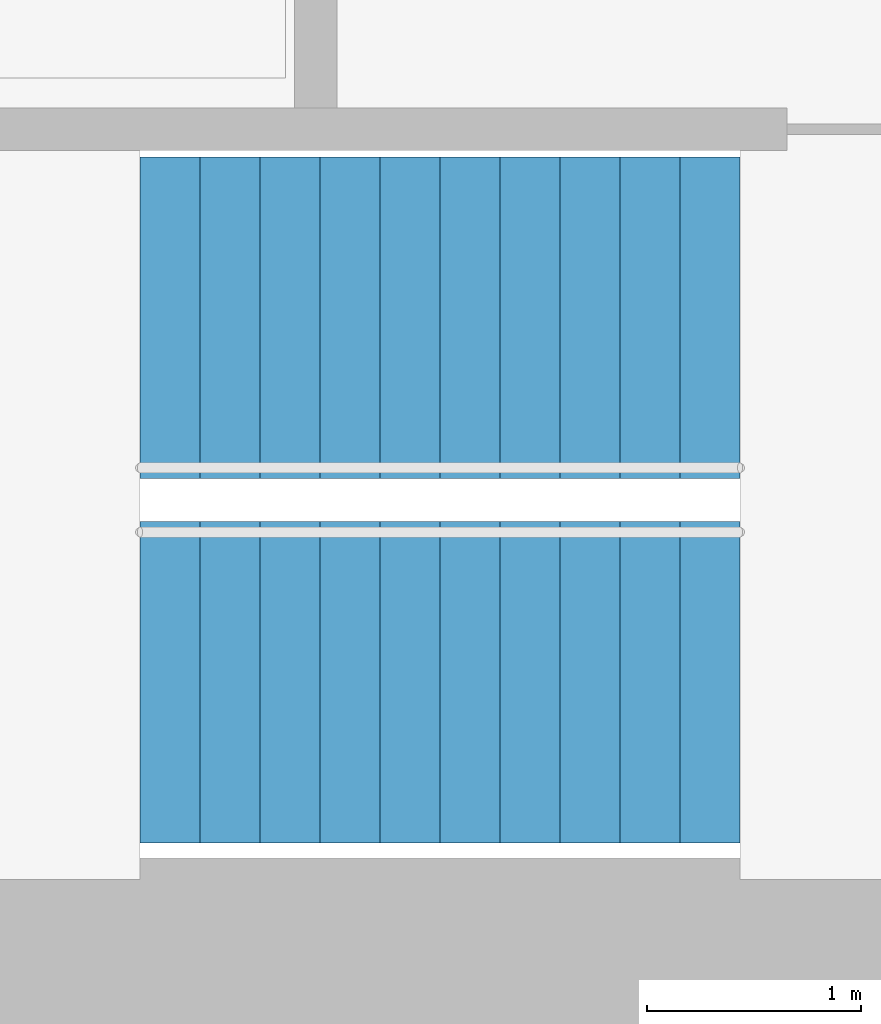
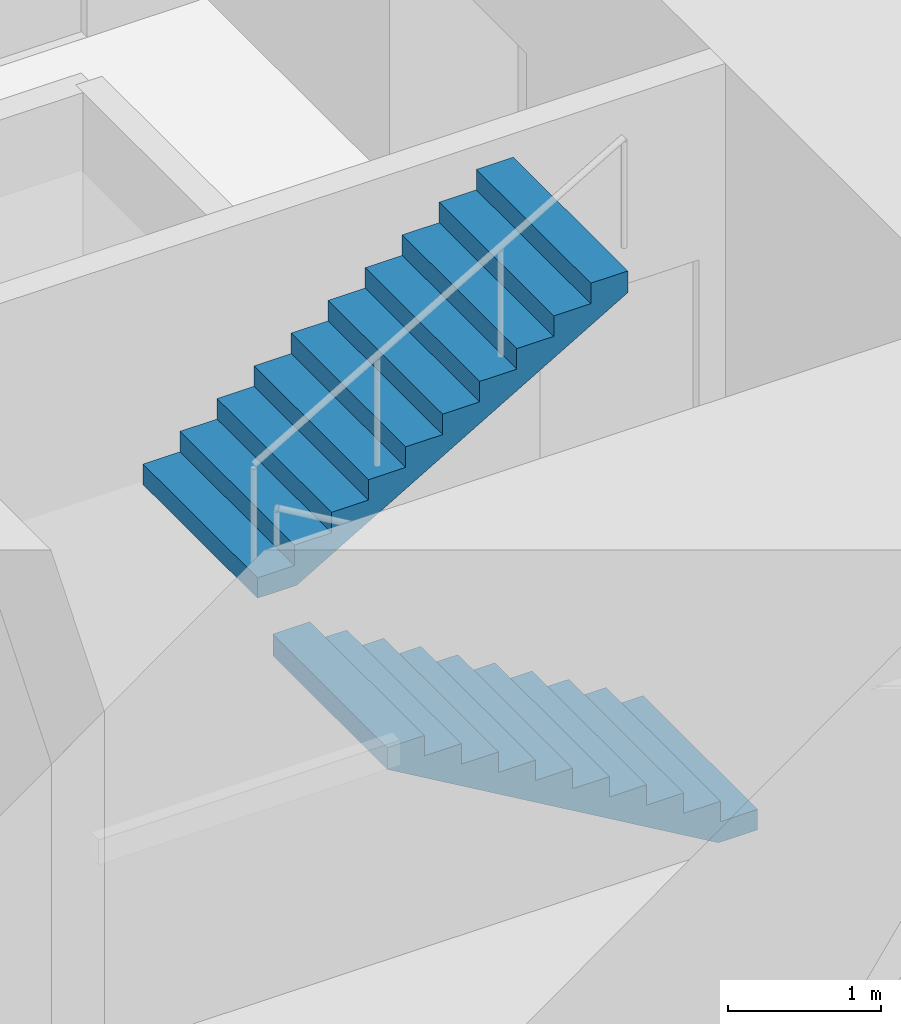
# One storey, part 14 of 15: 2 stair flights, 1 element without a shape of its own.
"""IFC4 building model written with IfcOpenShell, lengths in metres."""

from ifc_helpers import new_model, si_unit, direction, frame, origin, place, context, subcontext, project, spatial, triangles, material, type_object, element, aggregate, save


model = new_model("IFC4")

# Units and contexts
model_context = context("Model", 3, precision=1e-05, world=origin(), true_north=direction((0.0, 1.0)))
body_context = subcontext(model_context, "Body", "Model", "MODEL_VIEW")
ifc_project = project(units=[si_unit("LENGTHUNIT", "METRE"), si_unit("AREAUNIT", "SQUARE_METRE"), si_unit("VOLUMEUNIT", "CUBIC_METRE"), si_unit("PLANEANGLEUNIT", "RADIAN"), si_unit("MASSUNIT", "GRAM", prefix="KILO")], contexts=[model_context])

# Site, building, storey
site_placement = place(None, origin())
site = spatial("IfcSite", under=ifc_project, at=site_placement, CompositionType="ELEMENT")
building_placement = place(site_placement, origin())
building = spatial("IfcBuilding", under=site, at=building_placement, Name="Lantaw Convention Tower", CompositionType="ELEMENT")
storey_placement = place(building_placement, frame((0.0, 0.0, 47.800048828125)))
storey = spatial("IfcBuildingStorey", under=building, at=storey_placement, Name="L09", CompositionType="ELEMENT", Elevation=47.800048828125)

# Stair, stair flights
ifc_material = material(Name="Concrete C35/45", Category="concrete")
stair_type = type_object("IfcStairType", Name="Exit stair 1500 riser 163.64 in 2 flights", PredefinedType="HALF_TURN_STAIR", material=ifc_material)
stair_placement = place(storey_placement, origin())
stair = element("IfcStair", 1, at=stair_placement, inside=storey, type_object=stair_type, Name="Exit stair S2 L09", PredefinedType="HALF_TURN_STAIR")
stair_flight_type = type_object("IfcStairFlightType", Name="Stair flight 1500 riser 163.64", PredefinedType="STRAIGHT", material=ifc_material)
stair_flight_1_placement = place(storey_placement, frame((10.580078125, -5.97998046875, 0.0), z_axis=(0.0, 0.0, 1.0), x_axis=(-1.0, 0.0, 0.0)))
stair_flight_1 = element("IfcStairFlight", 2, at=stair_flight_1_placement, type_object=stair_flight_type, Name="S2 flight 1", NumberOfRisers=11, NumberOfTreads=10, PredefinedType="STRAIGHT", RiserHeight=0.163636364, TreadLength=0.28, context=body_context, shape_type="Tessellation", body=[
    triangles([(0.0, 0.75, 0.0), (0.0, 0.75, 0.163636364), (0.28, 0.75, 0.0), (0.28, 0.75, 0.163636364), (0.28, 0.75, 0.327272728), (0.2970904571225277, 0.75, 0.0), (0.2970904571225277, 0.75, 0.327272728), (0.56, 0.75, 0.1536484344906131), (0.56, 0.75, 0.327272728), (0.56, 0.75, 0.490909092), (0.8400000000000001, 0.75, 0.3172847984906131), (0.8400000000000001, 0.75, 0.490909092), (0.8400000000000001, 0.75, 0.654545456), (1.12, 0.75, 0.4809211624906131), (1.12, 0.75, 0.654545456), (1.12, 0.75, 0.8181818200000001), (1.4000000000000001, 0.75, 0.6445575264906132), (1.4000000000000001, 0.75, 0.8181818200000001), (1.4000000000000001, 0.75, 0.981818184), (1.6800000000000002, 0.75, 0.8081938904906131), (1.6800000000000002, 0.75, 0.981818184), (1.6800000000000002, 0.75, 1.145454548), (1.9600000000000002, 0.75, 0.9718302544906131), (1.9600000000000002, 0.75, 1.145454548), (1.9600000000000002, 0.75, 1.309090912), (2.24, 0.75, 1.135466618490613), (2.24, 0.75, 1.309090912), (2.24, 0.75, 1.472727276), (2.5200000000000005, 0.75, 1.2991029824906133), (2.5200000000000005, 0.75, 1.472727276), (2.5200000000000005, 0.75, 1.6363636400000001), (2.8000000000000003, 0.75, 1.462739346490613), (2.8000000000000003, 0.75, 1.6363636400000001), (0.0, -0.75, 0.0), (0.0, -0.75, 0.163636364), (0.28, -0.75, 0.0), (0.28, -0.75, 0.163636364), (0.28, -0.75, 0.327272728), (0.2970904571225277, -0.75, 0.0), (0.2970904571225277, -0.75, 0.327272728), (0.56, -0.75, 0.1536484344906131), (0.56, -0.75, 0.327272728), (0.56, -0.75, 0.490909092), (0.8400000000000001, -0.75, 0.3172847984906131), (0.8400000000000001, -0.75, 0.490909092), (0.8400000000000001, -0.75, 0.654545456), (1.12, -0.75, 0.4809211624906131), (1.12, -0.75, 0.654545456), (1.12, -0.75, 0.8181818200000001), (1.4000000000000001, -0.75, 0.6445575264906132), (1.4000000000000001, -0.75, 0.8181818200000001), (1.4000000000000001, -0.75, 0.981818184), (1.6800000000000002, -0.75, 0.8081938904906131), (1.6800000000000002, -0.75, 0.981818184), (1.6800000000000002, -0.75, 1.145454548), (1.9600000000000002, -0.75, 0.9718302544906131), (1.9600000000000002, -0.75, 1.145454548), (1.9600000000000002, -0.75, 1.309090912), (2.24, -0.75, 1.135466618490613), (2.24, -0.75, 1.309090912), (2.24, -0.75, 1.472727276), (2.5200000000000005, -0.75, 1.2991029824906133), (2.5200000000000005, -0.75, 1.472727276), (2.5200000000000005, -0.75, 1.6363636400000001), (2.8000000000000003, -0.75, 1.462739346490613), (2.8000000000000003, -0.75, 1.6363636400000001), (0.0, 0.15000000000000002, 0.163636364), (0.0, 0.15000000000000002, 0.0), (0.0, 0.0, 0.163636364), (0.0, 0.0, 0.0), (0.0, -0.15000000000000002, 0.163636364), (0.0, -0.15000000000000002, 0.0), (0.28, 0.15000000000000002, 0.327272728), (0.28, 0.15000000000000002, 0.163636364), (0.28, 0.0, 0.327272728), (0.28, 0.0, 0.163636364), (0.28, -0.15000000000000002, 0.327272728), (0.28, -0.15000000000000002, 0.163636364), (0.56, 0.15000000000000002, 0.490909092), (0.56, 0.15000000000000002, 0.327272728), (0.56, 0.0, 0.490909092), (0.56, 0.0, 0.327272728), (0.56, -0.15000000000000002, 0.490909092), (0.56, -0.15000000000000002, 0.327272728), (0.8400000000000001, 0.15000000000000002, 0.654545456), (0.8400000000000001, 0.15000000000000002, 0.490909092), (0.8400000000000001, 0.0, 0.654545456), (0.8400000000000001, 0.0, 0.490909092), (0.8400000000000001, -0.15000000000000002, 0.654545456), (0.8400000000000001, -0.15000000000000002, 0.490909092), (1.12, 0.15000000000000002, 0.8181818200000001), (1.12, 0.15000000000000002, 0.654545456), (1.12, 0.0, 0.8181818200000001), (1.12, 0.0, 0.654545456), (1.12, -0.15000000000000002, 0.8181818200000001), (1.12, -0.15000000000000002, 0.654545456), (1.4000000000000001, 0.15000000000000002, 0.981818184), (1.4000000000000001, 0.15000000000000002, 0.8181818200000001), (1.4000000000000001, 0.0, 0.981818184), (1.4000000000000001, 0.0, 0.8181818200000001), (1.4000000000000001, -0.15000000000000002, 0.981818184), (1.4000000000000001, -0.15000000000000002, 0.8181818200000001), (1.6800000000000002, 0.15000000000000002, 1.145454548), (1.6800000000000002, 0.15000000000000002, 0.981818184), (1.6800000000000002, 0.0, 1.145454548), (1.6800000000000002, 0.0, 0.981818184), (1.6800000000000002, -0.15000000000000002, 1.145454548), (1.6800000000000002, -0.15000000000000002, 0.981818184), (1.9600000000000002, 0.15000000000000002, 1.309090912), (1.9600000000000002, 0.15000000000000002, 1.145454548), (1.9600000000000002, 0.0, 1.309090912), (1.9600000000000002, 0.0, 1.145454548), (1.9600000000000002, -0.15000000000000002, 1.309090912), (1.9600000000000002, -0.15000000000000002, 1.145454548), (2.24, 0.15000000000000002, 1.472727276), (2.24, 0.15000000000000002, 1.309090912), (2.24, 0.0, 1.472727276), (2.24, 0.0, 1.309090912), (2.24, -0.15000000000000002, 1.472727276), (2.24, -0.15000000000000002, 1.309090912), (2.5200000000000005, 0.15000000000000002, 1.6363636400000001), (2.5200000000000005, 0.15000000000000002, 1.472727276), (2.5200000000000005, 0.0, 1.6363636400000001), (2.5200000000000005, 0.0, 1.472727276), (2.5200000000000005, -0.15000000000000002, 1.6363636400000001), (2.5200000000000005, -0.15000000000000002, 1.472727276), (0.2970904571225277, 0.15000000000000002, 0.327272728), (0.2970904571225277, 0.0, 0.327272728), (0.2970904571225277, -0.15000000000000002, 0.327272728), (2.8000000000000003, 0.15000000000000002, 1.6363636400000001), (2.8000000000000003, 0.0, 1.6363636400000001), (2.8000000000000003, -0.15000000000000002, 1.6363636400000001), (2.8000000000000003, 0.15000000000000002, 1.462739346490613), (2.8000000000000003, 0.0, 1.462739346490613), (2.8000000000000003, -0.15000000000000002, 1.462739346490613), (2.5200000000000005, 0.15000000000000002, 1.2991029824906133), (2.5200000000000005, 0.0, 1.2991029824906133), (2.5200000000000005, -0.15000000000000002, 1.2991029824906133), (2.24, 0.15000000000000002, 1.135466618490613), (2.24, 0.0, 1.135466618490613), (2.24, -0.15000000000000002, 1.135466618490613), (1.9600000000000002, 0.15000000000000002, 0.9718302544906131), (1.9600000000000002, 0.0, 0.9718302544906131), (1.9600000000000002, -0.15000000000000002, 0.9718302544906131), (1.6800000000000002, 0.15000000000000002, 0.8081938904906131), (1.6800000000000002, 0.0, 0.8081938904906131), (1.6800000000000002, -0.15000000000000002, 0.8081938904906131), (1.4000000000000001, 0.15000000000000002, 0.6445575264906132), (1.4000000000000001, 0.0, 0.6445575264906132), (1.4000000000000001, -0.15000000000000002, 0.6445575264906132), (1.12, 0.15000000000000002, 0.4809211624906131), (1.12, 0.0, 0.4809211624906131), (1.12, -0.15000000000000002, 0.4809211624906131), (0.8400000000000001, 0.15000000000000002, 0.3172847984906131), (0.8400000000000001, 0.0, 0.3172847984906131), (0.8400000000000001, -0.15000000000000002, 0.3172847984906131), (0.56, 0.15000000000000002, 0.1536484344906131), (0.56, 0.0, 0.1536484344906131), (0.56, -0.15000000000000002, 0.1536484344906131), (0.2970904571225277, 0.15000000000000002, 0.0), (0.2970904571225277, 0.0, 0.0), (0.2970904571225277, -0.15000000000000002, 0.0), (0.28, 0.15000000000000002, 0.0), (0.28, 0.0, 0.0), (0.28, -0.15000000000000002, 0.0)], [[1, 4, 3], [1, 2, 4], [3, 4, 6], [4, 7, 6], [4, 5, 7], [6, 9, 8], [6, 7, 9], [8, 9, 11], [9, 12, 11], [9, 10, 12], [11, 12, 14], [12, 15, 14], [12, 13, 15], [14, 15, 17], [15, 18, 17], [15, 16, 18], [17, 18, 20], [18, 21, 20], [18, 19, 21], [20, 21, 23], [21, 24, 23], [21, 22, 24], [23, 24, 26], [24, 27, 26], [24, 25, 27], [26, 27, 29], [27, 30, 29], [27, 28, 30], [29, 30, 32], [30, 33, 32], [30, 31, 33], [34, 36, 37], [34, 37, 35], [36, 39, 37], [37, 39, 40], [37, 40, 38], [39, 41, 42], [39, 42, 40], [41, 44, 42], [42, 44, 45], [42, 45, 43], [44, 47, 45], [45, 47, 48], [45, 48, 46], [47, 50, 48], [48, 50, 51], [48, 51, 49], [50, 53, 51], [51, 53, 54], [51, 54, 52], [53, 56, 54], [54, 56, 57], [54, 57, 55], [56, 59, 57], [57, 59, 60], [57, 60, 58], [59, 62, 60], [60, 62, 63], [60, 63, 61], [62, 65, 63], [63, 65, 66], [63, 66, 64], [1, 67, 2], [1, 68, 67], [68, 69, 67], [68, 70, 69], [70, 71, 69], [70, 72, 71], [72, 35, 71], [72, 34, 35], [4, 73, 5], [4, 74, 73], [74, 75, 73], [74, 76, 75], [76, 77, 75], [76, 78, 77], [78, 38, 77], [78, 37, 38], [9, 79, 10], [9, 80, 79], [80, 81, 79], [80, 82, 81], [82, 83, 81], [82, 84, 83], [84, 43, 83], [84, 42, 43], [12, 85, 13], [12, 86, 85], [86, 87, 85], [86, 88, 87], [88, 89, 87], [88, 90, 89], [90, 46, 89], [90, 45, 46], [15, 91, 16], [15, 92, 91], [92, 93, 91], [92, 94, 93], [94, 95, 93], [94, 96, 95], [96, 49, 95], [96, 48, 49], [18, 97, 19], [18, 98, 97], [98, 99, 97], [98, 100, 99], [100, 101, 99], [100, 102, 101], [102, 52, 101], [102, 51, 52], [21, 103, 22], [21, 104, 103], [104, 105, 103], [104, 106, 105], [106, 107, 105], [106, 108, 107], [108, 55, 107], [108, 54, 55], [24, 109, 25], [24, 110, 109], [110, 111, 109], [110, 112, 111], [112, 113, 111], [112, 114, 113], [114, 58, 113], [114, 57, 58], [27, 115, 28], [27, 116, 115], [116, 117, 115], [116, 118, 117], [118, 119, 117], [118, 120, 119], [120, 61, 119], [120, 60, 61], [30, 121, 31], [30, 122, 121], [122, 123, 121], [122, 124, 123], [124, 125, 123], [124, 126, 125], [126, 64, 125], [126, 63, 64], [2, 74, 4], [2, 67, 74], [67, 76, 74], [67, 69, 76], [69, 78, 76], [69, 71, 78], [71, 37, 78], [71, 35, 37], [5, 127, 7], [5, 73, 127], [73, 128, 127], [73, 75, 128], [75, 129, 128], [75, 77, 129], [77, 40, 129], [77, 38, 40], [7, 80, 9], [7, 127, 80], [127, 82, 80], [127, 128, 82], [128, 84, 82], [128, 129, 84], [129, 42, 84], [129, 40, 42], [10, 86, 12], [10, 79, 86], [79, 88, 86], [79, 81, 88], [81, 90, 88], [81, 83, 90], [83, 45, 90], [83, 43, 45], [13, 92, 15], [13, 85, 92], [85, 94, 92], [85, 87, 94], [87, 96, 94], [87, 89, 96], [89, 48, 96], [89, 46, 48], [16, 98, 18], [16, 91, 98], [91, 100, 98], [91, 93, 100], [93, 102, 100], [93, 95, 102], [95, 51, 102], [95, 49, 51], [19, 104, 21], [19, 97, 104], [97, 106, 104], [97, 99, 106], [99, 108, 106], [99, 101, 108], [101, 54, 108], [101, 52, 54], [22, 110, 24], [22, 103, 110], [103, 112, 110], [103, 105, 112], [105, 114, 112], [105, 107, 114], [107, 57, 114], [107, 55, 57], [25, 116, 27], [25, 109, 116], [109, 118, 116], [109, 111, 118], [111, 120, 118], [111, 113, 120], [113, 60, 120], [113, 58, 60], [28, 122, 30], [28, 115, 122], [115, 124, 122], [115, 117, 124], [117, 126, 124], [117, 119, 126], [119, 63, 126], [119, 61, 63], [31, 130, 33], [31, 121, 130], [121, 131, 130], [121, 123, 131], [123, 132, 131], [123, 125, 132], [125, 66, 132], [125, 64, 66], [33, 133, 32], [33, 130, 133], [130, 134, 133], [130, 131, 134], [131, 135, 134], [131, 132, 135], [132, 65, 135], [132, 66, 65], [32, 136, 29], [32, 133, 136], [133, 137, 136], [133, 134, 137], [134, 138, 137], [134, 135, 138], [135, 62, 138], [135, 65, 62], [29, 139, 26], [29, 136, 139], [136, 140, 139], [136, 137, 140], [137, 141, 140], [137, 138, 141], [138, 59, 141], [138, 62, 59], [26, 142, 23], [26, 139, 142], [139, 143, 142], [139, 140, 143], [140, 144, 143], [140, 141, 144], [141, 56, 144], [141, 59, 56], [23, 145, 20], [23, 142, 145], [142, 146, 145], [142, 143, 146], [143, 147, 146], [143, 144, 147], [144, 53, 147], [144, 56, 53], [20, 148, 17], [20, 145, 148], [145, 149, 148], [145, 146, 149], [146, 150, 149], [146, 147, 150], [147, 50, 150], [147, 53, 50], [17, 151, 14], [17, 148, 151], [148, 152, 151], [148, 149, 152], [149, 153, 152], [149, 150, 153], [150, 47, 153], [150, 50, 47], [14, 154, 11], [14, 151, 154], [151, 155, 154], [151, 152, 155], [152, 156, 155], [152, 153, 156], [153, 44, 156], [153, 47, 44], [11, 157, 8], [11, 154, 157], [154, 158, 157], [154, 155, 158], [155, 159, 158], [155, 156, 159], [156, 41, 159], [156, 44, 41], [8, 160, 6], [8, 157, 160], [157, 161, 160], [157, 158, 161], [158, 162, 161], [158, 159, 162], [159, 39, 162], [159, 41, 39], [6, 163, 3], [6, 160, 163], [160, 164, 163], [160, 161, 164], [161, 165, 164], [161, 162, 165], [162, 36, 165], [162, 39, 36], [3, 68, 1], [3, 163, 68], [163, 70, 68], [163, 164, 70], [164, 72, 70], [164, 165, 72], [165, 34, 72], [165, 36, 34]], closed=True),
])
stair_flight_2_placement = place(storey_placement, frame((7.780029296875, -4.280029296875, 1.800048828125), z_axis=(0.0, 0.0, 1.0), x_axis=(1.0, 0.0, 0.0)))
stair_flight_2 = element("IfcStairFlight", 3, at=stair_flight_2_placement, type_object=stair_flight_type, Name="S2 flight 2", NumberOfRisers=11, NumberOfTreads=10, PredefinedType="STRAIGHT", RiserHeight=0.163636364, TreadLength=0.28, context=body_context, shape_type="Tessellation", body=[
    triangles([(0.0, 0.75, 0.0), (0.0, 0.75, 0.163636364), (0.28, 0.75, 0.0), (0.28, 0.75, 0.163636364), (0.28, 0.75, 0.327272728), (0.2970904571225277, 0.75, 0.0), (0.2970904571225277, 0.75, 0.327272728), (0.56, 0.75, 0.1536484344906131), (0.56, 0.75, 0.327272728), (0.56, 0.75, 0.490909092), (0.8400000000000001, 0.75, 0.3172847984906131), (0.8400000000000001, 0.75, 0.490909092), (0.8400000000000001, 0.75, 0.654545456), (1.12, 0.75, 0.4809211624906131), (1.12, 0.75, 0.654545456), (1.12, 0.75, 0.8181818200000001), (1.4000000000000001, 0.75, 0.6445575264906132), (1.4000000000000001, 0.75, 0.8181818200000001), (1.4000000000000001, 0.75, 0.981818184), (1.6800000000000002, 0.75, 0.8081938904906131), (1.6800000000000002, 0.75, 0.981818184), (1.6800000000000002, 0.75, 1.145454548), (1.9600000000000002, 0.75, 0.9718302544906131), (1.9600000000000002, 0.75, 1.145454548), (1.9600000000000002, 0.75, 1.309090912), (2.24, 0.75, 1.135466618490613), (2.24, 0.75, 1.309090912), (2.24, 0.75, 1.472727276), (2.5200000000000005, 0.75, 1.2991029824906133), (2.5200000000000005, 0.75, 1.472727276), (2.5200000000000005, 0.75, 1.6363636400000001), (2.8000000000000003, 0.75, 1.462739346490613), (2.8000000000000003, 0.75, 1.6363636400000001), (0.0, -0.75, 0.0), (0.0, -0.75, 0.163636364), (0.28, -0.75, 0.0), (0.28, -0.75, 0.163636364), (0.28, -0.75, 0.327272728), (0.2970904571225277, -0.75, 0.0), (0.2970904571225277, -0.75, 0.327272728), (0.56, -0.75, 0.1536484344906131), (0.56, -0.75, 0.327272728), (0.56, -0.75, 0.490909092), (0.8400000000000001, -0.75, 0.3172847984906131), (0.8400000000000001, -0.75, 0.490909092), (0.8400000000000001, -0.75, 0.654545456), (1.12, -0.75, 0.4809211624906131), (1.12, -0.75, 0.654545456), (1.12, -0.75, 0.8181818200000001), (1.4000000000000001, -0.75, 0.6445575264906132), (1.4000000000000001, -0.75, 0.8181818200000001), (1.4000000000000001, -0.75, 0.981818184), (1.6800000000000002, -0.75, 0.8081938904906131), (1.6800000000000002, -0.75, 0.981818184), (1.6800000000000002, -0.75, 1.145454548), (1.9600000000000002, -0.75, 0.9718302544906131), (1.9600000000000002, -0.75, 1.145454548), (1.9600000000000002, -0.75, 1.309090912), (2.24, -0.75, 1.135466618490613), (2.24, -0.75, 1.309090912), (2.24, -0.75, 1.472727276), (2.5200000000000005, -0.75, 1.2991029824906133), (2.5200000000000005, -0.75, 1.472727276), (2.5200000000000005, -0.75, 1.6363636400000001), (2.8000000000000003, -0.75, 1.462739346490613), (2.8000000000000003, -0.75, 1.6363636400000001), (0.0, 0.15000000000000002, 0.163636364), (0.0, 0.15000000000000002, 0.0), (0.0, 0.0, 0.163636364), (0.0, 0.0, 0.0), (0.0, -0.15000000000000002, 0.163636364), (0.0, -0.15000000000000002, 0.0), (0.28, 0.15000000000000002, 0.327272728), (0.28, 0.15000000000000002, 0.163636364), (0.28, 0.0, 0.327272728), (0.28, 0.0, 0.163636364), (0.28, -0.15000000000000002, 0.327272728), (0.28, -0.15000000000000002, 0.163636364), (0.56, 0.15000000000000002, 0.490909092), (0.56, 0.15000000000000002, 0.327272728), (0.56, 0.0, 0.490909092), (0.56, 0.0, 0.327272728), (0.56, -0.15000000000000002, 0.490909092), (0.56, -0.15000000000000002, 0.327272728), (0.8400000000000001, 0.15000000000000002, 0.654545456), (0.8400000000000001, 0.15000000000000002, 0.490909092), (0.8400000000000001, 0.0, 0.654545456), (0.8400000000000001, 0.0, 0.490909092), (0.8400000000000001, -0.15000000000000002, 0.654545456), (0.8400000000000001, -0.15000000000000002, 0.490909092), (1.12, 0.15000000000000002, 0.8181818200000001), (1.12, 0.15000000000000002, 0.654545456), (1.12, 0.0, 0.8181818200000001), (1.12, 0.0, 0.654545456), (1.12, -0.15000000000000002, 0.8181818200000001), (1.12, -0.15000000000000002, 0.654545456), (1.4000000000000001, 0.15000000000000002, 0.981818184), (1.4000000000000001, 0.15000000000000002, 0.8181818200000001), (1.4000000000000001, 0.0, 0.981818184), (1.4000000000000001, 0.0, 0.8181818200000001), (1.4000000000000001, -0.15000000000000002, 0.981818184), (1.4000000000000001, -0.15000000000000002, 0.8181818200000001), (1.6800000000000002, 0.15000000000000002, 1.145454548), (1.6800000000000002, 0.15000000000000002, 0.981818184), (1.6800000000000002, 0.0, 1.145454548), (1.6800000000000002, 0.0, 0.981818184), (1.6800000000000002, -0.15000000000000002, 1.145454548), (1.6800000000000002, -0.15000000000000002, 0.981818184), (1.9600000000000002, 0.15000000000000002, 1.309090912), (1.9600000000000002, 0.15000000000000002, 1.145454548), (1.9600000000000002, 0.0, 1.309090912), (1.9600000000000002, 0.0, 1.145454548), (1.9600000000000002, -0.15000000000000002, 1.309090912), (1.9600000000000002, -0.15000000000000002, 1.145454548), (2.24, 0.15000000000000002, 1.472727276), (2.24, 0.15000000000000002, 1.309090912), (2.24, 0.0, 1.472727276), (2.24, 0.0, 1.309090912), (2.24, -0.15000000000000002, 1.472727276), (2.24, -0.15000000000000002, 1.309090912), (2.5200000000000005, 0.15000000000000002, 1.6363636400000001), (2.5200000000000005, 0.15000000000000002, 1.472727276), (2.5200000000000005, 0.0, 1.6363636400000001), (2.5200000000000005, 0.0, 1.472727276), (2.5200000000000005, -0.15000000000000002, 1.6363636400000001), (2.5200000000000005, -0.15000000000000002, 1.472727276), (0.2970904571225277, 0.15000000000000002, 0.327272728), (0.2970904571225277, 0.0, 0.327272728), (0.2970904571225277, -0.15000000000000002, 0.327272728), (2.8000000000000003, 0.15000000000000002, 1.6363636400000001), (2.8000000000000003, 0.0, 1.6363636400000001), (2.8000000000000003, -0.15000000000000002, 1.6363636400000001), (2.8000000000000003, 0.15000000000000002, 1.462739346490613), (2.8000000000000003, 0.0, 1.462739346490613), (2.8000000000000003, -0.15000000000000002, 1.462739346490613), (2.5200000000000005, 0.15000000000000002, 1.2991029824906133), (2.5200000000000005, 0.0, 1.2991029824906133), (2.5200000000000005, -0.15000000000000002, 1.2991029824906133), (2.24, 0.15000000000000002, 1.135466618490613), (2.24, 0.0, 1.135466618490613), (2.24, -0.15000000000000002, 1.135466618490613), (1.9600000000000002, 0.15000000000000002, 0.9718302544906131), (1.9600000000000002, 0.0, 0.9718302544906131), (1.9600000000000002, -0.15000000000000002, 0.9718302544906131), (1.6800000000000002, 0.15000000000000002, 0.8081938904906131), (1.6800000000000002, 0.0, 0.8081938904906131), (1.6800000000000002, -0.15000000000000002, 0.8081938904906131), (1.4000000000000001, 0.15000000000000002, 0.6445575264906132), (1.4000000000000001, 0.0, 0.6445575264906132), (1.4000000000000001, -0.15000000000000002, 0.6445575264906132), (1.12, 0.15000000000000002, 0.4809211624906131), (1.12, 0.0, 0.4809211624906131), (1.12, -0.15000000000000002, 0.4809211624906131), (0.8400000000000001, 0.15000000000000002, 0.3172847984906131), (0.8400000000000001, 0.0, 0.3172847984906131), (0.8400000000000001, -0.15000000000000002, 0.3172847984906131), (0.56, 0.15000000000000002, 0.1536484344906131), (0.56, 0.0, 0.1536484344906131), (0.56, -0.15000000000000002, 0.1536484344906131), (0.2970904571225277, 0.15000000000000002, 0.0), (0.2970904571225277, 0.0, 0.0), (0.2970904571225277, -0.15000000000000002, 0.0), (0.28, 0.15000000000000002, 0.0), (0.28, 0.0, 0.0), (0.28, -0.15000000000000002, 0.0)], [[1, 4, 3], [1, 2, 4], [3, 4, 6], [4, 7, 6], [4, 5, 7], [6, 9, 8], [6, 7, 9], [8, 9, 11], [9, 12, 11], [9, 10, 12], [11, 12, 14], [12, 15, 14], [12, 13, 15], [14, 15, 17], [15, 18, 17], [15, 16, 18], [17, 18, 20], [18, 21, 20], [18, 19, 21], [20, 21, 23], [21, 24, 23], [21, 22, 24], [23, 24, 26], [24, 27, 26], [24, 25, 27], [26, 27, 29], [27, 30, 29], [27, 28, 30], [29, 30, 32], [30, 33, 32], [30, 31, 33], [34, 36, 37], [34, 37, 35], [36, 39, 37], [37, 39, 40], [37, 40, 38], [39, 41, 42], [39, 42, 40], [41, 44, 42], [42, 44, 45], [42, 45, 43], [44, 47, 45], [45, 47, 48], [45, 48, 46], [47, 50, 48], [48, 50, 51], [48, 51, 49], [50, 53, 51], [51, 53, 54], [51, 54, 52], [53, 56, 54], [54, 56, 57], [54, 57, 55], [56, 59, 57], [57, 59, 60], [57, 60, 58], [59, 62, 60], [60, 62, 63], [60, 63, 61], [62, 65, 63], [63, 65, 66], [63, 66, 64], [1, 67, 2], [1, 68, 67], [68, 69, 67], [68, 70, 69], [70, 71, 69], [70, 72, 71], [72, 35, 71], [72, 34, 35], [4, 73, 5], [4, 74, 73], [74, 75, 73], [74, 76, 75], [76, 77, 75], [76, 78, 77], [78, 38, 77], [78, 37, 38], [9, 79, 10], [9, 80, 79], [80, 81, 79], [80, 82, 81], [82, 83, 81], [82, 84, 83], [84, 43, 83], [84, 42, 43], [12, 85, 13], [12, 86, 85], [86, 87, 85], [86, 88, 87], [88, 89, 87], [88, 90, 89], [90, 46, 89], [90, 45, 46], [15, 91, 16], [15, 92, 91], [92, 93, 91], [92, 94, 93], [94, 95, 93], [94, 96, 95], [96, 49, 95], [96, 48, 49], [18, 97, 19], [18, 98, 97], [98, 99, 97], [98, 100, 99], [100, 101, 99], [100, 102, 101], [102, 52, 101], [102, 51, 52], [21, 103, 22], [21, 104, 103], [104, 105, 103], [104, 106, 105], [106, 107, 105], [106, 108, 107], [108, 55, 107], [108, 54, 55], [24, 109, 25], [24, 110, 109], [110, 111, 109], [110, 112, 111], [112, 113, 111], [112, 114, 113], [114, 58, 113], [114, 57, 58], [27, 115, 28], [27, 116, 115], [116, 117, 115], [116, 118, 117], [118, 119, 117], [118, 120, 119], [120, 61, 119], [120, 60, 61], [30, 121, 31], [30, 122, 121], [122, 123, 121], [122, 124, 123], [124, 125, 123], [124, 126, 125], [126, 64, 125], [126, 63, 64], [2, 74, 4], [2, 67, 74], [67, 76, 74], [67, 69, 76], [69, 78, 76], [69, 71, 78], [71, 37, 78], [71, 35, 37], [5, 127, 7], [5, 73, 127], [73, 128, 127], [73, 75, 128], [75, 129, 128], [75, 77, 129], [77, 40, 129], [77, 38, 40], [7, 80, 9], [7, 127, 80], [127, 82, 80], [127, 128, 82], [128, 84, 82], [128, 129, 84], [129, 42, 84], [129, 40, 42], [10, 86, 12], [10, 79, 86], [79, 88, 86], [79, 81, 88], [81, 90, 88], [81, 83, 90], [83, 45, 90], [83, 43, 45], [13, 92, 15], [13, 85, 92], [85, 94, 92], [85, 87, 94], [87, 96, 94], [87, 89, 96], [89, 48, 96], [89, 46, 48], [16, 98, 18], [16, 91, 98], [91, 100, 98], [91, 93, 100], [93, 102, 100], [93, 95, 102], [95, 51, 102], [95, 49, 51], [19, 104, 21], [19, 97, 104], [97, 106, 104], [97, 99, 106], [99, 108, 106], [99, 101, 108], [101, 54, 108], [101, 52, 54], [22, 110, 24], [22, 103, 110], [103, 112, 110], [103, 105, 112], [105, 114, 112], [105, 107, 114], [107, 57, 114], [107, 55, 57], [25, 116, 27], [25, 109, 116], [109, 118, 116], [109, 111, 118], [111, 120, 118], [111, 113, 120], [113, 60, 120], [113, 58, 60], [28, 122, 30], [28, 115, 122], [115, 124, 122], [115, 117, 124], [117, 126, 124], [117, 119, 126], [119, 63, 126], [119, 61, 63], [31, 130, 33], [31, 121, 130], [121, 131, 130], [121, 123, 131], [123, 132, 131], [123, 125, 132], [125, 66, 132], [125, 64, 66], [33, 133, 32], [33, 130, 133], [130, 134, 133], [130, 131, 134], [131, 135, 134], [131, 132, 135], [132, 65, 135], [132, 66, 65], [32, 136, 29], [32, 133, 136], [133, 137, 136], [133, 134, 137], [134, 138, 137], [134, 135, 138], [135, 62, 138], [135, 65, 62], [29, 139, 26], [29, 136, 139], [136, 140, 139], [136, 137, 140], [137, 141, 140], [137, 138, 141], [138, 59, 141], [138, 62, 59], [26, 142, 23], [26, 139, 142], [139, 143, 142], [139, 140, 143], [140, 144, 143], [140, 141, 144], [141, 56, 144], [141, 59, 56], [23, 145, 20], [23, 142, 145], [142, 146, 145], [142, 143, 146], [143, 147, 146], [143, 144, 147], [144, 53, 147], [144, 56, 53], [20, 148, 17], [20, 145, 148], [145, 149, 148], [145, 146, 149], [146, 150, 149], [146, 147, 150], [147, 50, 150], [147, 53, 50], [17, 151, 14], [17, 148, 151], [148, 152, 151], [148, 149, 152], [149, 153, 152], [149, 150, 153], [150, 47, 153], [150, 50, 47], [14, 154, 11], [14, 151, 154], [151, 155, 154], [151, 152, 155], [152, 156, 155], [152, 153, 156], [153, 44, 156], [153, 47, 44], [11, 157, 8], [11, 154, 157], [154, 158, 157], [154, 155, 158], [155, 159, 158], [155, 156, 159], [156, 41, 159], [156, 44, 41], [8, 160, 6], [8, 157, 160], [157, 161, 160], [157, 158, 161], [158, 162, 161], [158, 159, 162], [159, 39, 162], [159, 41, 39], [6, 163, 3], [6, 160, 163], [160, 164, 163], [160, 161, 164], [161, 165, 164], [161, 162, 165], [162, 36, 165], [162, 39, 36], [3, 68, 1], [3, 163, 68], [163, 70, 68], [163, 164, 70], [164, 72, 70], [164, 165, 72], [165, 34, 72], [165, 36, 34]], closed=True),
])
aggregate(stair, [stair_flight_1, stair_flight_2])

save(model, "model.ifc")
